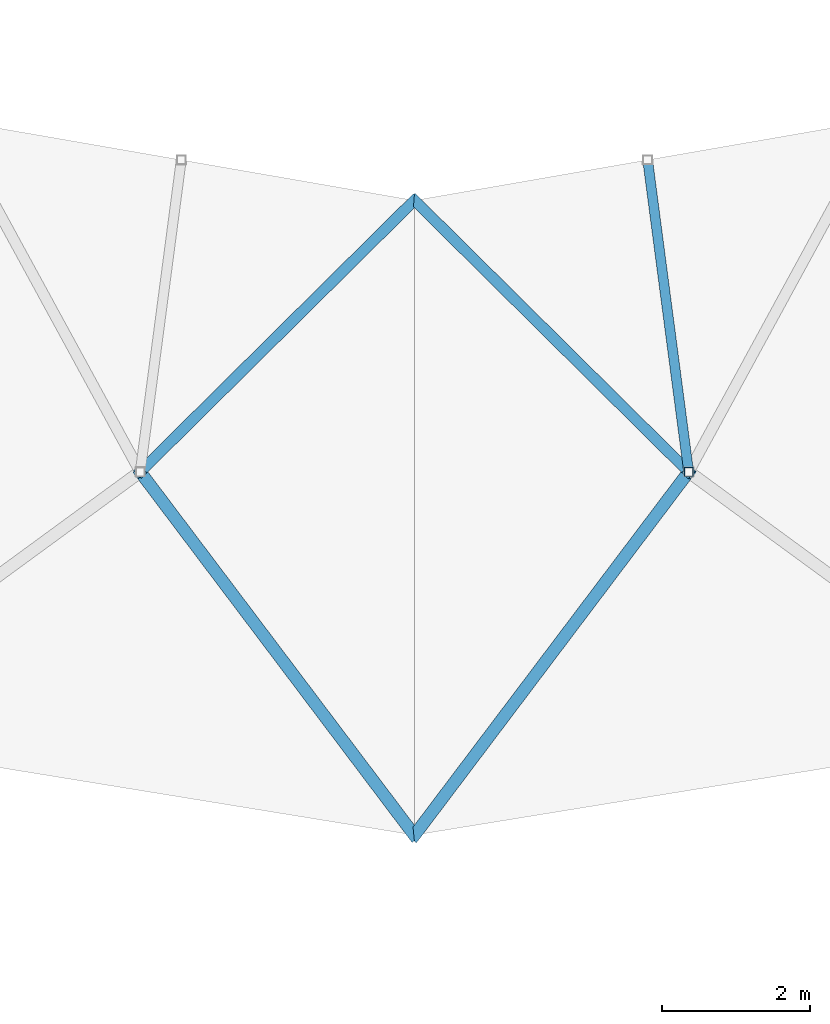
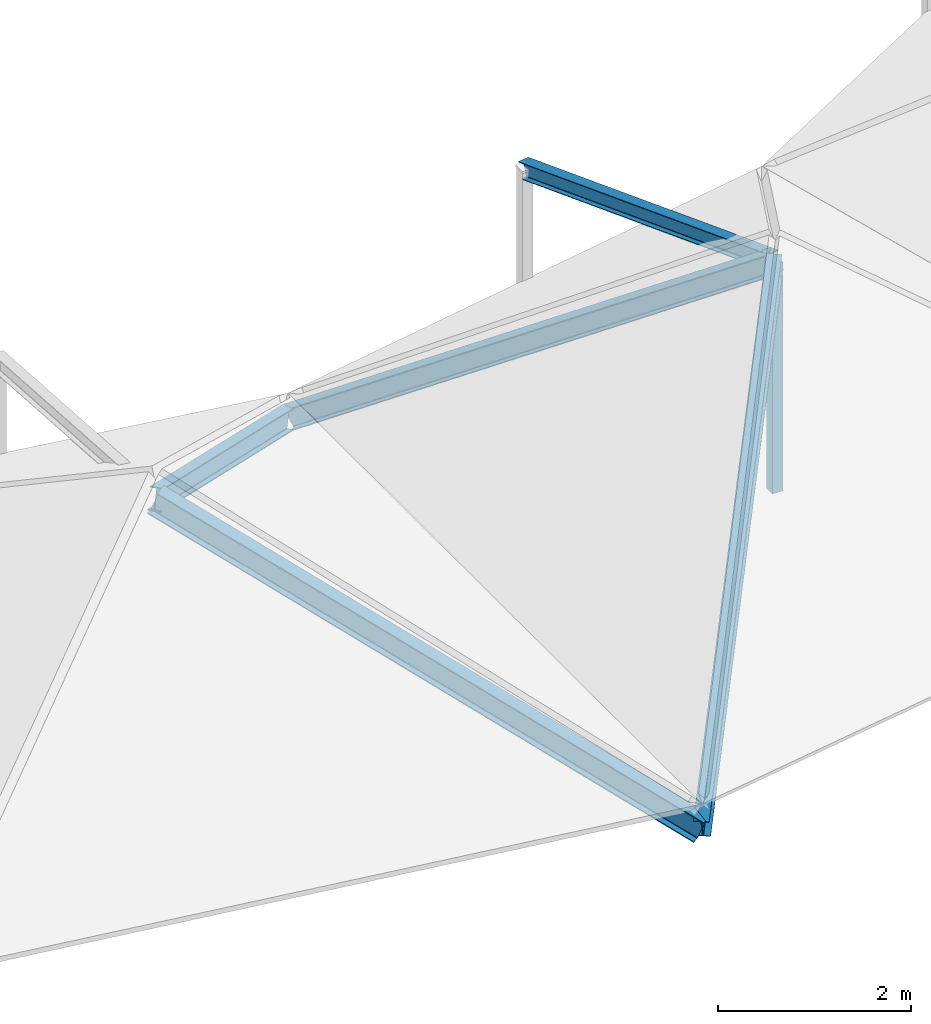
# One storey, part 9 of 66: 6 members.
"""IFC4 building model written with IfcOpenShell, lengths in metres."""

from ifc_helpers import new_model, si_unit, direction, frame, origin, origin_2d, place, context, subcontext, project, spatial, hollow_rectangle, i_section, extrude, material, material_profile, profile_set, type_object, element, save


model = new_model("IFC4")

# Units and contexts
model_context = context("Model", 3, precision=1e-05, world=origin(), true_north=direction((0.0, 1.0)))
body_context = subcontext(model_context, "Body", "Model", "MODEL_VIEW")
ifc_project = project(units=[si_unit("LENGTHUNIT", "METRE"), si_unit("AREAUNIT", "SQUARE_METRE"), si_unit("VOLUMEUNIT", "CUBIC_METRE"), si_unit("PLANEANGLEUNIT", "RADIAN"), si_unit("MASSUNIT", "GRAM", prefix="KILO")], contexts=[model_context])

# Site, building, storey
site_placement = place(None, origin())
site = spatial("IfcSite", under=ifc_project, at=site_placement, CompositionType="ELEMENT")
building_placement = place(site_placement, origin())
building = spatial("IfcBuilding", under=site, at=building_placement, Name="Karori Crest Natural Sciences Institute", CompositionType="ELEMENT")
storey_placement = place(building_placement, frame((0.0, 0.0, 30.10009765625)))
storey = spatial("IfcBuildingStorey", under=building, at=storey_placement, Name="L07", CompositionType="ELEMENT", Elevation=30.10009765625)

# Members
ifc_material_1 = material(Name="Structural steel AS/NZS 3679.1 Grade 350", Category="steel")
ifc_material_profile_1 = material_profile(ifc_material_1, i_section(OverallWidth=0.166015625, OverallDepth=0.306884765625, WebThickness=0.006591796875, FlangeThickness=0.01171875, FilletRadius=0.010986328125, at=origin_2d()), Name="310UB46.2")
ifc_profile_set_1 = profile_set([ifc_material_profile_1], Name="Structural steel AS/NZS 3679.1 Grade 350")
member_type_1 = type_object("IfcMemberType", Name="MT-06", PredefinedType="RAFTER", material=ifc_profile_set_1)
member_1_placement = place(storey_placement, frame((66.39990234375, 9.10009765625, -0.260009765625), z_axis=(-0.558506489591, 0.740171629645, 0.374454883469), x_axis=(-0.798248059509, -0.602328843316, 0.0)))
element("IfcMember", 1, at=member_1_placement, inside=storey, type_object=member_type_1, Name="Member M-0151", PredefinedType="RAFTER", context=body_context, shape_type="SweptSolid", body=[
    extrude(i_section(OverallWidth=0.166015625, OverallDepth=0.306884765625, WebThickness=0.006591796875, FlangeThickness=0.01171875, FilletRadius=0.010986328125, at=origin_2d()), origin(), (0.0, 0.0, 1.0), 6.649658203125),
])
member_2_placement = place(storey_placement, frame((66.39990234375, 9.10009765625, -0.260009765625), z_axis=(0.54463956126, 0.721746766253, 0.427140906159), x_axis=(-0.798229021671, 0.602354072752, 0.0)))
element("IfcMember", 2, at=member_2_placement, inside=storey, type_object=member_type_1, Name="Member M-0157", PredefinedType="RAFTER", context=body_context, shape_type="SweptSolid", body=[
    extrude(i_section(OverallWidth=0.166015625, OverallDepth=0.306884765625, WebThickness=0.006591796875, FlangeThickness=0.01171875, FilletRadius=0.010986328125, at=origin_2d()), origin(), (0.0, 0.0, 1.0), 6.8193359375),
])
ifc_material_profile_2 = material_profile(ifc_material_1, i_section(OverallWidth=0.14599609375, OverallDepth=0.256103515625, WebThickness=0.00634765625, FlangeThickness=0.010986328125, FilletRadius=0.009033203125, at=origin_2d()), Name="250UB37.3")
ifc_profile_set_2 = profile_set([ifc_material_profile_2], Name="Structural steel AS/NZS 3679.1 Grade 350")
member_type_2 = type_object("IfcMemberType", Name="MT-07", PredefinedType="RAFTER", material=ifc_profile_set_2)
member_3_placement = place(storey_placement, frame((66.39990234375, 17.699951171875, -0.260009765625), z_axis=(-0.641463364703, -0.635264632478, 0.430073945346), x_axis=(0.703665363547, -0.710531530718, 0.0)))
element("IfcMember", 3, at=member_3_placement, inside=storey, type_object=member_type_2, Name="Member M-0153", PredefinedType="RAFTER", context=body_context, shape_type="SweptSolid", body=[
    extrude(i_section(OverallWidth=0.14599609375, OverallDepth=0.256103515625, WebThickness=0.00634765625, FlangeThickness=0.010986328125, FilletRadius=0.009033203125, at=origin_2d()), origin(), (0.0, 0.0, 1.0), 5.789794921875),
])
member_4_placement = place(storey_placement, frame((66.39990234375, 17.699951171875, -0.260009765625), z_axis=(0.620686335987, -0.614647975523, 0.486781612743), x_axis=(0.703642010732, 0.710554657104, 0.0)))
element("IfcMember", 4, at=member_4_placement, inside=storey, type_object=member_type_2, Name="Member M-0159", PredefinedType="RAFTER", context=body_context, shape_type="SweptSolid", body=[
    extrude(i_section(OverallWidth=0.14599609375, OverallDepth=0.256103515625, WebThickness=0.00634765625, FlangeThickness=0.010986328125, FilletRadius=0.009033203125, at=origin_2d()), origin(), (0.0, 0.0, 1.0), 5.98388671875),
])
ifc_material_profile_3 = material_profile(ifc_material_1, i_section(OverallWidth=0.133056640625, OverallDepth=0.202880859375, WebThickness=0.005859375, FlangeThickness=0.0078125, FilletRadius=0.009033203125, at=origin_2d()), Name="200UB25.4")
ifc_profile_set_3 = profile_set([ifc_material_profile_3], Name="Structural steel AS/NZS 3679.1 Grade 350")
member_type_3 = type_object("IfcMemberType", Name="MT-09", PredefinedType="PURLIN", material=ifc_profile_set_3)
member_5_placement = place(storey_placement, frame((69.5576171875, 18.24853515625, 1.4609375), z_axis=(0.125696331159, -0.954828821865, 0.269262610232), x_axis=(0.991446106692, 0.130516732738, 0.0)))
element("IfcMember", 5, at=member_5_placement, inside=storey, type_object=member_type_3, Name="Member M-0161", PredefinedType="PURLIN", context=body_context, shape_type="SweptSolid", body=[
    extrude(i_section(OverallWidth=0.133056640625, OverallDepth=0.202880859375, WebThickness=0.005859375, FlangeThickness=0.0078125, FilletRadius=0.009033203125, at=origin_2d()), origin(), (0.0, 0.0, 1.0), 4.426513671875),
])
ifc_material_2 = material(Name="Hollow structural steel AS/NZS 1163 Grade C350", Category="steel")
ifc_material_profile_4 = material_profile(ifc_material_2, hollow_rectangle(XDim=0.125, YDim=0.125, WallThickness=0.006103515625, at=origin_2d()), Name="SHS125x125x6")
ifc_profile_set_4 = profile_set([ifc_material_profile_4], Name="Hollow structural steel AS/NZS 1163 Grade C350")
member_type_4 = type_object("IfcMemberType", Name="MT-20", PredefinedType="STRUT", material=ifc_profile_set_4)
member_6_placement = place(storey_placement, frame((70.114013671875, 14.02197265625, -0.2451171875), z_axis=(0.0, 0.0, 1.0), x_axis=(1.0, 0.0, 0.0)))
element("IfcMember", 6, at=member_6_placement, inside=storey, type_object=member_type_4, Name="Member M-0155", PredefinedType="STRUT", context=body_context, shape_type="SweptSolid", body=[
    extrude(hollow_rectangle(XDim=0.125, YDim=0.125, WallThickness=0.006103515625, at=origin_2d()), origin(), (0.0, 0.0, 1.0), 2.89794921875),
])

save(model, "model.ifc")
